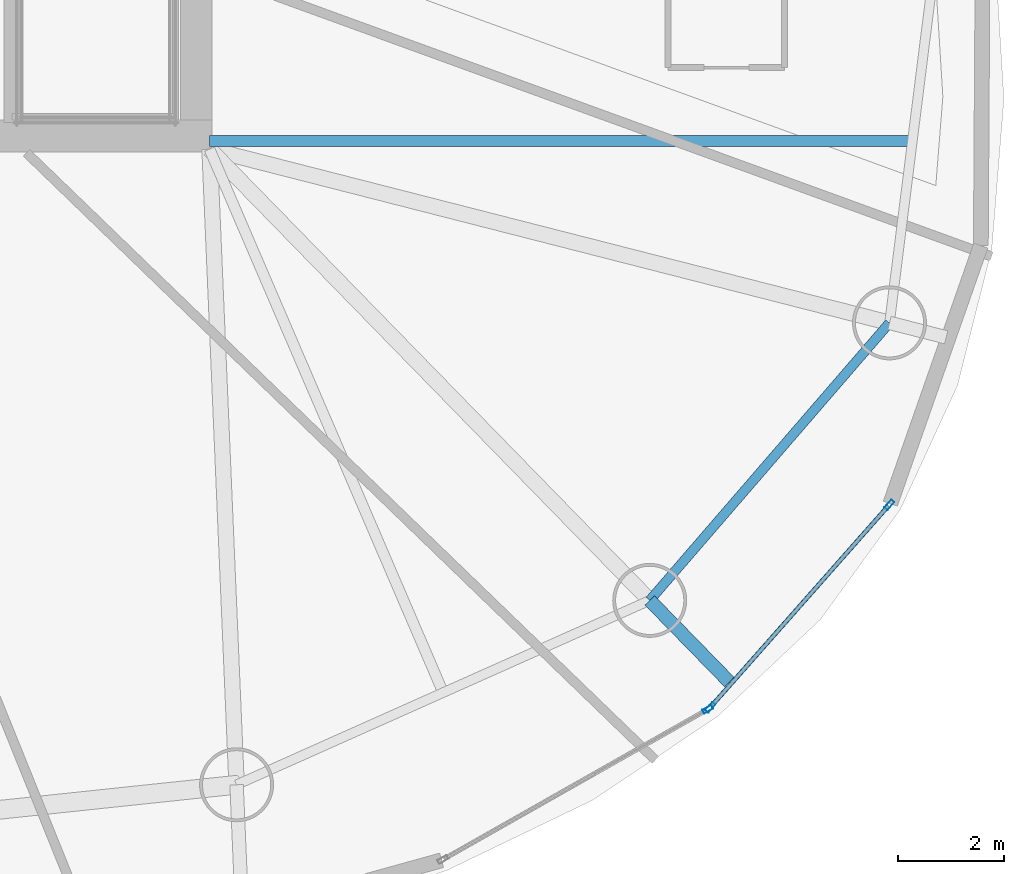
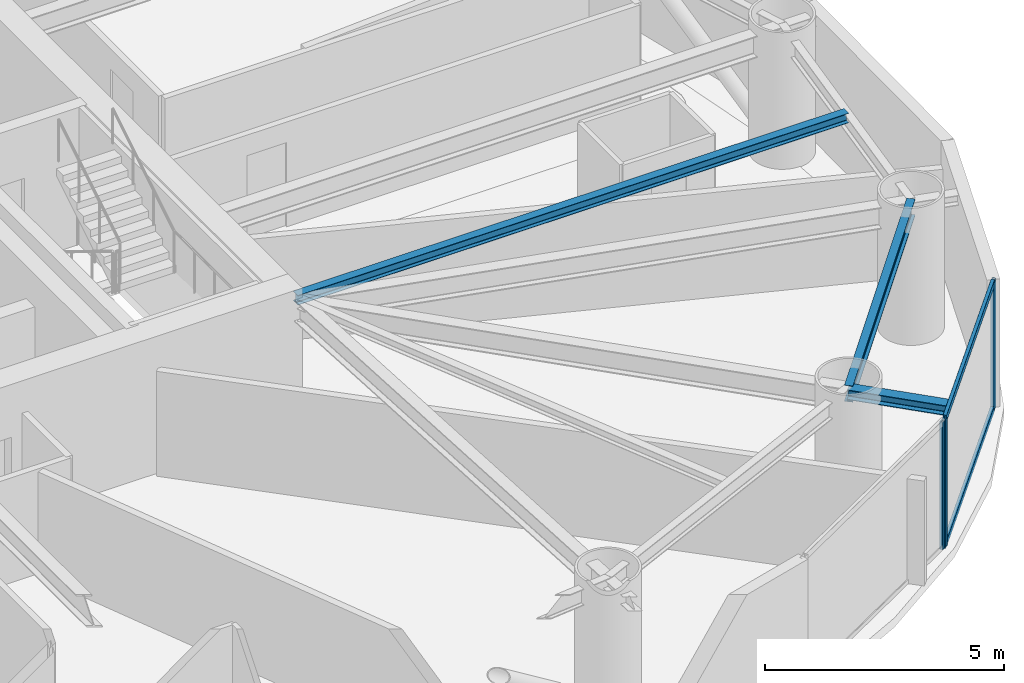
# One storey, part 6 of 20: 5 members, 3 beams, 2 elements without a shape of their own.
"""IFC4 building model written with IfcOpenShell, lengths in metres."""

from ifc_helpers import new_model, si_unit, direction, frame, origin, origin_2d, place, context, subcontext, project, spatial, hollow_rectangle, i_section, extrude, material, layer, layer_set, material_profile, profile_set, type_object, element, aggregate, save


model = new_model("IFC4")

# Units and contexts
model_context = context("Model", 3, precision=1e-05, world=origin(), true_north=direction((0.0, 1.0)))
body_context = subcontext(model_context, "Body", "Model", "MODEL_VIEW")
ifc_project = project(units=[si_unit("LENGTHUNIT", "METRE"), si_unit("AREAUNIT", "SQUARE_METRE"), si_unit("VOLUMEUNIT", "CUBIC_METRE"), si_unit("PLANEANGLEUNIT", "RADIAN"), si_unit("MASSUNIT", "GRAM", prefix="KILO")], contexts=[model_context])

# Site, building, storey
site_placement = place(None, origin())
site = spatial("IfcSite", under=ifc_project, at=site_placement, CompositionType="ELEMENT")
building_placement = place(site_placement, origin())
building = spatial("IfcBuilding", under=site, at=building_placement, Name="Bramvorn Convention Spire", CompositionType="ELEMENT")
storey_placement = place(building_placement, frame((0.0, 0.0, 151.800048828125)))
storey = spatial("IfcBuildingStorey", under=building, at=storey_placement, Name="L38", CompositionType="ELEMENT", Elevation=151.800048828125)

# Beams
ifc_material_1 = material(Name="Steel CSA G40.21 Grade 350 (350W)", Category="steel")
ifc_material_profile_1 = material_profile(ifc_material_1, i_section(OverallWidth=0.201904296875, OverallDepth=0.2470703125, WebThickness=0.00732421875, FlangeThickness=0.010986328125, FilletRadius=0.011962890625, at=origin_2d()))
ifc_profile_set_1 = profile_set([ifc_material_profile_1], Name="Steel CSA G40.21 Grade 350 (350W) - W250X49")
beam_type_1 = type_object("IfcBeamType", Name="BM-W250X49", PredefinedType="JOIST", material=ifc_profile_set_1)
beam_1_placement = place(storey_placement, frame((49.25, 18.705078125, 3.136474609375), z_axis=(1.0, 0.0, 0.0), x_axis=(0.0, 1.0, 0.0)))
element("IfcBeam", 1, at=beam_1_placement, inside=storey, type_object=beam_type_1, Name="L38 composite floor joist 01", PredefinedType="JOIST", context=body_context, shape_type="SweptSolid", body=[
    extrude(i_section(OverallWidth=0.201904296875, OverallDepth=0.2470703125, WebThickness=0.00732421875, FlangeThickness=0.010986328125, FilletRadius=0.011962890625, at=origin_2d()), origin(), (0.0, 0.0, 1.0), 13.30078125),
])
ifc_material_profile_2 = material_profile(ifc_material_1, i_section(OverallWidth=0.25390625, OverallDepth=0.2529296875, WebThickness=0.008544921875, FlangeThickness=0.01416015625, FilletRadius=0.011962890625, at=origin_2d()))
ifc_profile_set_2 = profile_set([ifc_material_profile_2], Name="Steel CSA G40.21 Grade 350 (350W) - W250X73")
beam_type_2 = type_object("IfcBeamType", Name="BM-W250X73", PredefinedType="BEAM", material=ifc_profile_set_2)
beam_2_placement = place(storey_placement, frame((57.579833984375, 10.0107421875, 3.1083984375), z_axis=(0.698271464659, -0.71583305431, 0.0), x_axis=(0.71583305431, 0.698271464659, 0.0)))
element("IfcBeam", 2, at=beam_2_placement, inside=storey, type_object=beam_type_2, Name="L38 slab-edge cantilever tip beam MC16", PredefinedType="BEAM", context=body_context, shape_type="SweptSolid", body=[
    extrude(i_section(OverallWidth=0.25390625, OverallDepth=0.2529296875, WebThickness=0.008544921875, FlangeThickness=0.01416015625, FilletRadius=0.011962890625, at=origin_2d()), origin(), (0.0, 0.0, 1.0), 2.15478515625),
])
ifc_material_profile_3 = material_profile(ifc_material_1, i_section(OverallWidth=0.180908203125, OverallDepth=0.4169921875, WebThickness=0.010986328125, FlangeThickness=0.018310546875, FilletRadius=0.01611328125, at=origin_2d()))
ifc_profile_set_3 = profile_set([ifc_material_profile_3], Name="Steel CSA G40.21 Grade 350 (350W) - W410X85")
beam_type_3 = type_object("IfcBeamType", Name="BM-W410X85", PredefinedType="JOIST", material=ifc_profile_set_3)
beam_3_placement = place(storey_placement, frame((57.579833984375, 10.0107421875, 3.051513671875), z_axis=(0.653824993824, 0.756645807132, 0.0), x_axis=(-0.756645807132, 0.653824993824, 0.0)))
element("IfcBeam", 3, at=beam_3_placement, inside=storey, type_object=beam_type_3, Name="L38 mega-column ring beam 16", PredefinedType="JOIST", context=body_context, shape_type="SweptSolid", body=[
    extrude(i_section(OverallWidth=0.180908203125, OverallDepth=0.4169921875, WebThickness=0.010986328125, FlangeThickness=0.018310546875, FilletRadius=0.01611328125, at=origin_2d()), origin(), (0.0, 0.0, 1.0), 6.9404296875),
])

# Curtain wall, member
ifc_material_2 = material(Name="Anodised Bronze Unitised Curtain Wall", Category="aluminium")
ifc_layer = layer(ifc_material_2, 0.179931640625)
ifc_layer_set = layer_set([ifc_layer], Name="Anodised Bronze Unitised Curtain Wall - CW-HTL-FRIT")
curtain_wall_type = type_object("IfcCurtainWallType", Name="CW-HTL-FRIT", PredefinedType="USERDEFINED", material=ifc_layer_set)
curtain_wall_1_placement = place(storey_placement, origin())
curtain_wall_1 = element("IfcCurtainWall", 4, at=curtain_wall_1_placement, inside=storey, type_object=curtain_wall_type, Name="L38 fritted glass curtain wall 23", ObjectType="UNITISED CURTAIN WALL", PredefinedType="USERDEFINED")
ifc_material_3 = material(Name="Anodised Bronze Aluminium 6063-T6", Category="aluminium")
ifc_material_profile_4 = material_profile(ifc_material_3, hollow_rectangle(XDim=0.080078125, YDim=0.199951171875, WallThickness=0.00390625, InnerFilletRadius=0.0009765625, OuterFilletRadius=0.00390625, at=origin_2d()))
ifc_profile_set_4 = profile_set([ifc_material_profile_4], Name="Anodised Bronze Aluminium 6063-T6 - CWM80X200")
member_type_1 = type_object("IfcMemberType", Name="CW-MUL-180", PredefinedType="MULLION", material=ifc_profile_set_4)
member_1_placement = place(storey_placement, frame((58.679931640625, 7.94970703125, 0.0), z_axis=(0.0, 0.0, 1.0), x_axis=(0.493302868528, -0.869857620477, 0.0)))
member_1 = element("IfcMember", 5, at=member_1_placement, type_object=member_type_1, Name="CW2 mullion 1", PredefinedType="MULLION", context=body_context, shape_type="SweptSolid", body=[
    extrude(hollow_rectangle(XDim=0.080078125, YDim=0.199951171875, WallThickness=0.00390625, InnerFilletRadius=0.0009765625, OuterFilletRadius=0.00390625, at=origin_2d()), origin(), (0.0, 0.0, 1.0), 3.260009765625),
])
aggregate(curtain_wall_1, [member_1])

# Curtain wall, members
curtain_wall_2_placement = place(storey_placement, origin())
curtain_wall_2 = element("IfcCurtainWall", 6, at=curtain_wall_2_placement, inside=storey, type_object=curtain_wall_type, Name="L38 fritted glass curtain wall 24", ObjectType="UNITISED CURTAIN WALL", PredefinedType="USERDEFINED")
member_2_placement = place(storey_placement, frame((62.11328125, 11.818603515625, 0.0), z_axis=(0.0, 0.0, 1.0), x_axis=(0.749207527187, -0.66233532384, 0.0)))
member_2 = element("IfcMember", 7, at=member_2_placement, type_object=member_type_1, Name="CW2 mullion 1", PredefinedType="MULLION", context=body_context, shape_type="SweptSolid", body=[
    extrude(hollow_rectangle(XDim=0.080078125, YDim=0.199951171875, WallThickness=0.00390625, InnerFilletRadius=0.0009765625, OuterFilletRadius=0.00390625, at=origin_2d()), origin(), (0.0, 0.0, 1.0), 3.260009765625),
])
member_3_placement = place(storey_placement, frame((58.725830078125, 7.987060546875, 0.0), z_axis=(0.0, 0.0, 1.0), x_axis=(0.749207527187, -0.66233532384, 0.0)))
member_3 = element("IfcMember", 8, at=member_3_placement, type_object=member_type_1, Name="CW2 mullion 2", PredefinedType="MULLION", context=body_context, shape_type="SweptSolid", body=[
    extrude(hollow_rectangle(XDim=0.080078125, YDim=0.199951171875, WallThickness=0.00390625, InnerFilletRadius=0.0009765625, OuterFilletRadius=0.00390625, at=origin_2d()), origin(), (0.0, 0.0, 1.0), 3.260009765625),
])
ifc_material_profile_5 = material_profile(ifc_material_3, hollow_rectangle(XDim=0.080078125, YDim=0.159912109375, WallThickness=0.00390625, InnerFilletRadius=0.0009765625, OuterFilletRadius=0.00390625, at=origin_2d()))
ifc_profile_set_5 = profile_set([ifc_material_profile_5], Name="Anodised Bronze Aluminium 6063-T6 - CWT80X160")
member_type_2 = type_object("IfcMemberType", Name="CW-TRN-150", PredefinedType="USERDEFINED", material=ifc_profile_set_5)
member_4_placement = place(storey_placement, frame((62.09326171875, 11.796142578125, 0.030029296875), z_axis=(-0.662319527498, -0.749221491613, 0.0), x_axis=(0.749221491613, -0.662319527498, 0.0)))
member_4 = element("IfcMember", 9, at=member_4_placement, type_object=member_type_2, Name="CW2 transom 1.1", ObjectType="TRANSOM", PredefinedType="USERDEFINED", context=body_context, shape_type="SweptSolid", body=[
    extrude(hollow_rectangle(XDim=0.080078125, YDim=0.159912109375, WallThickness=0.00390625, InnerFilletRadius=0.0009765625, OuterFilletRadius=0.00390625, at=origin_2d()), origin(), (0.0, 0.0, 1.0), 5.053955078125),
])
member_5_placement = place(storey_placement, frame((62.09326171875, 11.796142578125, 3.22998046875), z_axis=(-0.662319527498, -0.749221491613, 0.0), x_axis=(0.749221491613, -0.662319527498, 0.0)))
member_5 = element("IfcMember", 10, at=member_5_placement, type_object=member_type_2, Name="CW2 transom 1.2", ObjectType="TRANSOM", PredefinedType="USERDEFINED", context=body_context, shape_type="SweptSolid", body=[
    extrude(hollow_rectangle(XDim=0.080078125, YDim=0.159912109375, WallThickness=0.00390625, InnerFilletRadius=0.0009765625, OuterFilletRadius=0.00390625, at=origin_2d()), origin(), (0.0, 0.0, 1.0), 5.053955078125),
])
aggregate(curtain_wall_2, [member_2, member_3, member_4, member_5])

save(model, "model.ifc")
